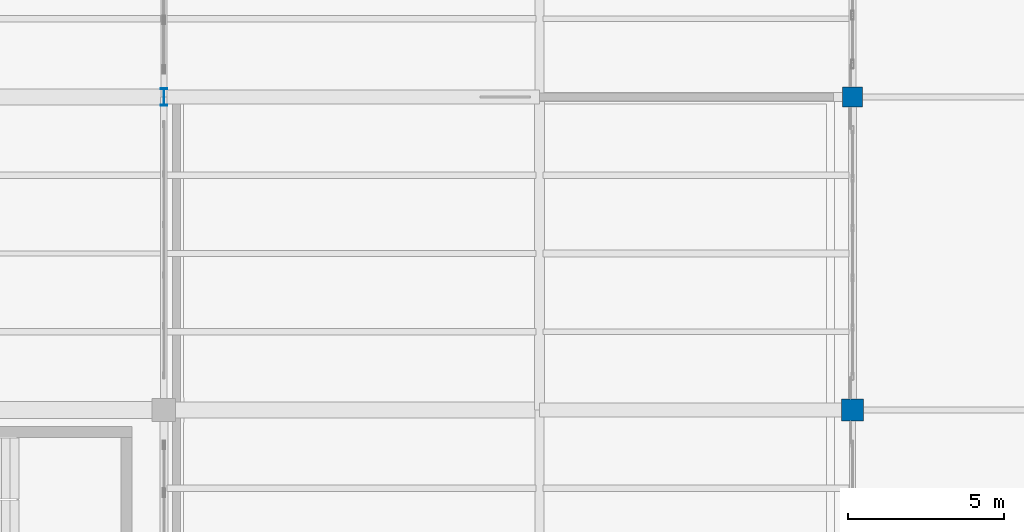
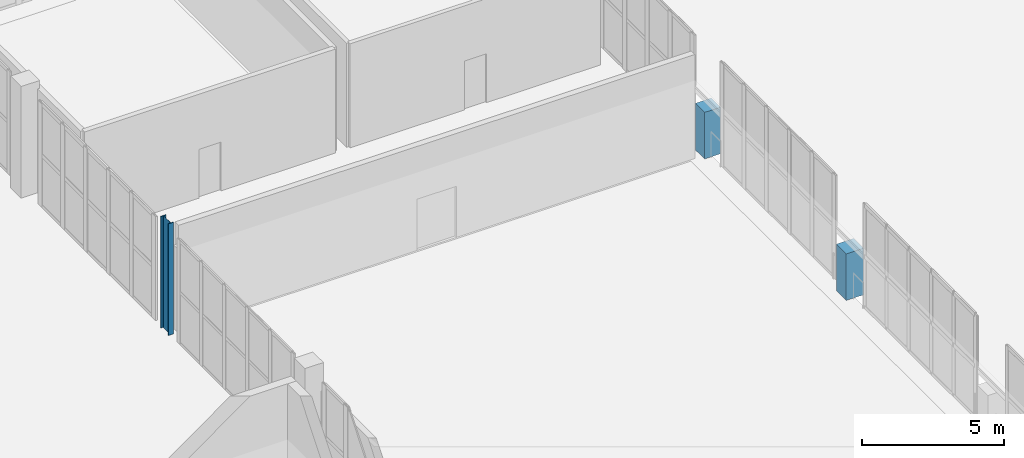
# One storey, part 9 of 136: 3 columns.
"""IFC4 building model written with IfcOpenShell, lengths in metres."""

from ifc_helpers import new_model, si_unit, direction, frame, origin, origin_2d, place, context, subcontext, project, spatial, rectangle, i_section, extrude, material, material_profile, profile_set, type_object, element, save


model = new_model("IFC4")

# Units and contexts
model_context = context("Model", 3, precision=1e-05, world=origin(), true_north=direction((0.0, 1.0)))
body_context = subcontext(model_context, "Body", "Model", "MODEL_VIEW")
ifc_project = project(units=[si_unit("LENGTHUNIT", "METRE"), si_unit("AREAUNIT", "SQUARE_METRE"), si_unit("VOLUMEUNIT", "CUBIC_METRE"), si_unit("PLANEANGLEUNIT", "RADIAN"), si_unit("MASSUNIT", "GRAM", prefix="KILO")], contexts=[model_context])

# Site, building, storey
site_placement = place(None, origin())
site = spatial("IfcSite", under=ifc_project, at=site_placement, CompositionType="ELEMENT")
building_placement = place(site_placement, origin())
building = spatial("IfcBuilding", under=site, at=building_placement, Name="Brinegate Civic Arena", CompositionType="ELEMENT")
storey_placement = place(building_placement, frame((0.0, 0.0, 5.39990234375)))
storey = spatial("IfcBuildingStorey", under=building, at=storey_placement, Name="L01", CompositionType="ELEMENT", Elevation=5.39990234375)

# Columns
ifc_material_1 = material(Name="Concrete C50/60", Category="concrete")
ifc_material_profile_1 = material_profile(ifc_material_1, rectangle(XDim=0.699951171875, YDim=0.699951171875, at=origin_2d()), Name="RC700X700")
ifc_profile_set_1 = profile_set([ifc_material_profile_1], Name="Concrete C50/60")
column_type_1 = type_object("IfcColumnType", Name="COL-CC09-700", PredefinedType="COLUMN", material=ifc_profile_set_1)
column_1_placement = place(storey_placement, frame((190.0, 52.0, 0.0), z_axis=(0.0, 0.0, 1.0), x_axis=(1.0, 0.0, 0.0)))
element("IfcColumn", 1, at=column_1_placement, inside=storey, type_object=column_type_1, Name="Column COL-L01-17-F", PredefinedType="COLUMN", context=body_context, shape_type="SweptSolid", body=[
    extrude(rectangle(XDim=0.699951171875, YDim=0.699951171875, at=origin_2d()), origin(), (0.0, 0.0, 1.0), 2.0),
])
ifc_material_profile_2 = material_profile(ifc_material_1, rectangle(XDim=0.64990234375, YDim=0.64990234375, at=origin_2d()), Name="RC650X650")
ifc_profile_set_2 = profile_set([ifc_material_profile_2], Name="Concrete C50/60")
column_type_2 = type_object("IfcColumnType", Name="COL-CC10-650", PredefinedType="COLUMN", material=ifc_profile_set_2)
column_2_placement = place(storey_placement, frame((190.0, 62.0, 0.0), z_axis=(0.0, 0.0, 1.0), x_axis=(1.0, 0.0, 0.0)))
element("IfcColumn", 2, at=column_2_placement, inside=storey, type_object=column_type_2, Name="Column COL-L01-17-G", PredefinedType="COLUMN", context=body_context, shape_type="SweptSolid", body=[
    extrude(rectangle(XDim=0.64990234375, YDim=0.64990234375, at=origin_2d()), origin(), (0.0, 0.0, 1.0), 2.0),
])
ifc_material_2 = material(Name="Steel S355", Category="steel")
ifc_material_profile_3 = material_profile(ifc_material_2, i_section(OverallWidth=0.2119140625, OverallDepth=0.5439453125, WebThickness=0.012939453125, FlangeThickness=0.02099609375, FilletRadius=0.01611328125, at=origin_2d()), Name="W530X123")
ifc_profile_set_3 = profile_set([ifc_material_profile_3], Name="Steel S355")
column_type_3 = type_object("IfcColumnType", Name="COL-SC02-W530", PredefinedType="COLUMN", material=ifc_profile_set_3)
column_3_placement = place(storey_placement, frame((168.0, 62.0, 0.0), z_axis=(0.0, 0.0, 1.0), x_axis=(1.0, 0.0, 0.0)))
element("IfcColumn", 3, at=column_3_placement, inside=storey, type_object=column_type_3, Name="Column COL-L01-15-G", PredefinedType="COLUMN", context=body_context, shape_type="SweptSolid", body=[
    extrude(i_section(OverallWidth=0.2119140625, OverallDepth=0.5439453125, WebThickness=0.012939453125, FlangeThickness=0.02099609375, FilletRadius=0.01611328125, at=origin_2d()), origin(), (0.0, 0.0, 1.0), 4.800048828125),
])

save(model, "model.ifc")
